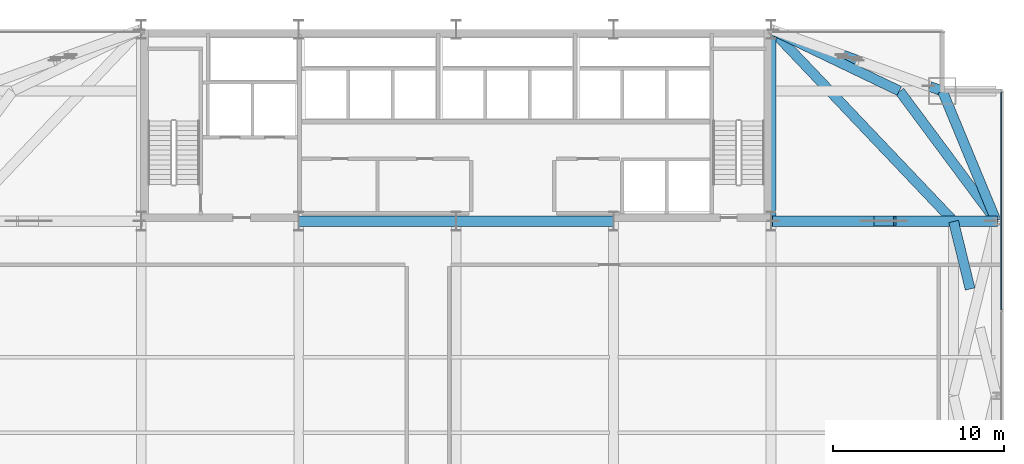
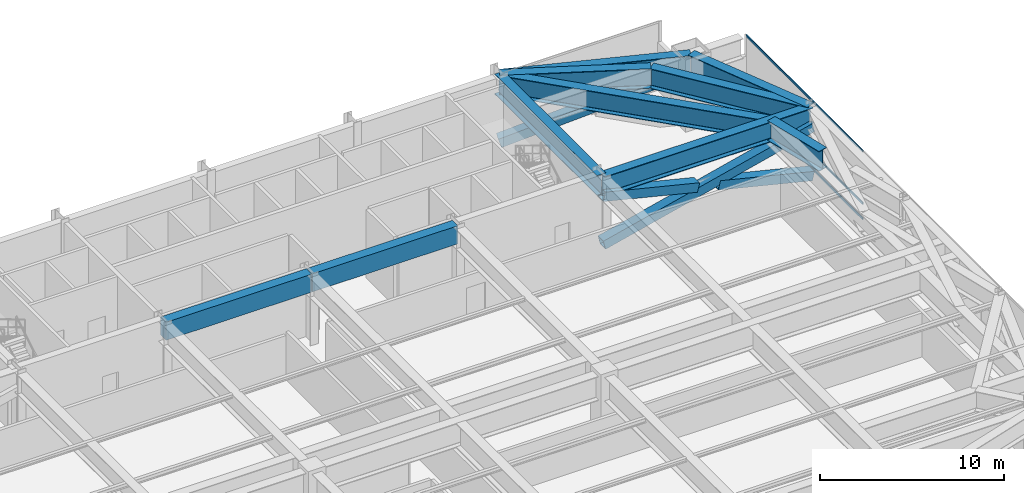
# One storey, part 23 of 30: 10 beams, 7 members, 1 element without a shape of its own.
"""IFC4 building model written with IfcOpenShell, lengths in metres."""

from ifc_helpers import new_model, si_unit, direction, frame, origin, origin_2d, place, context, subcontext, project, spatial, rectangle, hollow_rectangle, i_section, extrude, source, transform, mapped, material, layer, layer_set, material_profile, profile_set, type_object, type_shapes, element, aggregate, save


model = new_model("IFC4")

# Units and contexts
model_context = context("Model", 3, precision=1e-05, world=origin(), true_north=direction((0.0, 1.0)))
body_context = subcontext(model_context, "Body", "Model", "MODEL_VIEW")
ifc_project = project(units=[si_unit("LENGTHUNIT", "METRE"), si_unit("AREAUNIT", "SQUARE_METRE"), si_unit("VOLUMEUNIT", "CUBIC_METRE"), si_unit("PLANEANGLEUNIT", "RADIAN"), si_unit("MASSUNIT", "GRAM", prefix="KILO")], contexts=[model_context])

# Site, building, storey
site_placement = place(None, origin())
site = spatial("IfcSite", under=ifc_project, at=site_placement, CompositionType="ELEMENT")
building_placement = place(site_placement, origin())
building = spatial("IfcBuilding", under=site, at=building_placement, Name="Varnel Quay Broadcast Tower", CompositionType="ELEMENT")
storey_placement = place(building_placement, frame((0.0, 0.0, 82.199951171875)))
storey = spatial("IfcBuildingStorey", under=building, at=storey_placement, Name="L19", CompositionType="ELEMENT", Elevation=82.199951171875)

# Beams
ifc_material_1 = material(Name="Structural Steel CSA G40.21 350WT", Category="steel")
ifc_material_profile_1 = material_profile(ifc_material_1, i_section(OverallWidth=0.580078125, OverallDepth=1.330078125, WebThickness=0.02197265625, FlangeThickness=0.0380859375, FilletRadius=0.02001953125, at=origin_2d()), Name="WWF1330X535")
ifc_profile_set_1 = profile_set([ifc_material_profile_1], Name="Structural Steel CSA G40.21 350WT")
beam_type_1 = type_object("IfcBeamType", Name="Girder_WWF1330X535", PredefinedType="BEAM", material=ifc_profile_set_1)
shared_shape_1 = source(origin(), body_context, "Body", "SweptSolid", [
    extrude(i_section(OverallWidth=0.580078125, OverallDepth=1.330078125, WebThickness=0.02197265625, FlangeThickness=0.0380859375, FilletRadius=0.02001953125, at=origin_2d()), origin(), (0.0, 0.0, 1.0), 13.110107421875),
])
beam_1_placement = place(storey_placement, frame((52.419921875, 35.60009765625, 3.885009765625), z_axis=(1.0, 0.0, 0.0), x_axis=(0.0, 1.0, 0.0)))
element("IfcBeam", 1, at=beam_1_placement, inside=storey, type_object=beam_type_1, Name="L19 East Core Tie Transfer", PredefinedType="BEAM", context=body_context, shape_type="MappedRepresentation", body=[
    mapped(shared_shape_1, transform((0.0, 0.0, 0.0), x_axis=(1.0, 0.0, 0.0), y_axis=(0.0, 1.0, 0.0), z_axis=(0.0, 0.0, 1.0), scale=1.0)),
])
shared_shape_2 = source(origin(), body_context, "Body", "SweptSolid", [
    extrude(i_section(OverallWidth=0.580078125, OverallDepth=1.330078125, WebThickness=0.02197265625, FlangeThickness=0.0380859375, FilletRadius=0.02001953125, at=origin_2d()), origin(), (0.0, 0.0, 1.0), 11.159912109375),
])
beam_2_placement = place(storey_placement, frame((52.39990234375, 35.6201171875, 3.885009765625), z_axis=(0.0, 1.0, 0.0), x_axis=(-1.0, 0.0, 0.0)))
element("IfcBeam", 2, at=beam_2_placement, inside=storey, type_object=beam_type_1, Name="L19 East Core Spine", PredefinedType="BEAM", context=body_context, shape_type="MappedRepresentation", body=[
    mapped(shared_shape_2, transform((0.0, 0.0, 0.0), x_axis=(1.0, 0.0, 0.0), y_axis=(0.0, 1.0, 0.0), z_axis=(0.0, 0.0, 1.0), scale=1.0)),
])
shared_shape_3 = source(origin(), body_context, "Body", "SweptSolid", [
    extrude(i_section(OverallWidth=0.580078125, OverallDepth=1.330078125, WebThickness=0.02197265625, FlangeThickness=0.0380859375, FilletRadius=0.02001953125, at=origin_2d()), origin(), (0.0, 0.0, 1.0), 8.186767578125),
])
beam_3_placement = place(storey_placement, frame((65.542236328125, 35.618408203125, 3.885009765625), z_axis=(-0.382874132092, 0.923800519038, 0.0), x_axis=(-0.923800519038, -0.382874132092, 0.0)))
element("IfcBeam", 3, at=beam_3_placement, inside=storey, type_object=beam_type_1, Name="L19 East Transfer Spine TC-E3-MC-NE", PredefinedType="BEAM", context=body_context, shape_type="MappedRepresentation", body=[
    mapped(shared_shape_3, transform((0.0, 0.0, 0.0), x_axis=(1.0, 0.0, 0.0), y_axis=(0.0, 1.0, 0.0), z_axis=(0.0, 0.0, 1.0), scale=1.0)),
])
ifc_material_2 = material(Name="Concrete CSA A23.3 C60/75", Category="concrete")
ifc_material_profile_2 = material_profile(ifc_material_2, rectangle(XDim=0.60009765625, YDim=1.199951171875, at=origin_2d()), Name="RC600X1200")
ifc_profile_set_2 = profile_set([ifc_material_profile_2], Name="Concrete CSA A23.3 C60/75")
beam_type_2 = type_object("IfcBeamType", Name="Beam_RC600X1200", PredefinedType="BEAM", material=ifc_profile_set_2)
shared_shape_4 = source(origin(), body_context, "Body", "SweptSolid", [
    extrude(rectangle(XDim=0.60009765625, YDim=1.199951171875, at=origin_2d()), origin(), (0.0, 0.0, 1.0), 9.159912109375),
])
type_shapes(beam_type_2, [shared_shape_4])
for number, where, z_axis, x_axis, name in (
    (4, (24.820068359375, 35.60009765625, 3.949951171875), (1.0, 0.0, 0.0), (0.0, 1.0, 0.0), "L19 Core Coupling Beam W"),
    (5, (34.02001953125, 35.60009765625, 3.949951171875), (1.0, 0.0, 0.0), (0.0, 1.0, 0.0), "L19 Core Coupling Beam E"),
):
    element("IfcBeam", number, at=place(storey_placement, frame(where, z_axis=z_axis, x_axis=x_axis)), inside=storey, type_object=beam_type_2, Name=name, PredefinedType="BEAM", context=body_context, shape_type="MappedRepresentation", body=[
        mapped(shared_shape_4, transform((0.0, 0.0, 0.0), x_axis=(1.0, 0.0, 0.0), y_axis=(0.0, 1.0, 0.0), z_axis=(0.0, 0.0, 1.0), scale=1.0)),
    ])
shared_shape_5 = source(origin(), body_context, "Body", "SweptSolid", [
    extrude(i_section(OverallWidth=0.580078125, OverallDepth=1.330078125, WebThickness=0.02197265625, FlangeThickness=0.0380859375, FilletRadius=0.02001953125, at=origin_2d()), origin(), (0.0, 0.0, 1.0), 10.58837890625),
])
beam_4_placement = place(storey_placement, frame((52.418701171875, 46.793212890625, 3.885009765625), z_axis=(0.940888587605, -0.338716202321, 0.0), x_axis=(0.338716202321, 0.940888587605, 0.0)))
element("IfcBeam", 6, at=beam_4_placement, inside=storey, type_object=beam_type_1, Name="L19 NE Transfer Spine", PredefinedType="BEAM", context=body_context, shape_type="MappedRepresentation", body=[
    mapped(shared_shape_5, transform((0.0, 0.0, 0.0), x_axis=(1.0, 0.0, 0.0), y_axis=(0.0, 1.0, 0.0), z_axis=(0.0, 0.0, 1.0), scale=1.0)),
])
shared_shape_6 = source(origin(), body_context, "Body", "SweptSolid", [
    extrude(i_section(OverallWidth=0.580078125, OverallDepth=1.330078125, WebThickness=0.02197265625, FlangeThickness=0.0380859375, FilletRadius=0.02001953125, at=origin_2d()), origin(), (0.0, 0.0, 1.0), 8.279296875),
])
beam_5_placement = place(storey_placement, frame((52.41796875, 46.791259765625, 3.885009765625), z_axis=(0.901535021024, -0.432706142626, 0.0), x_axis=(0.432706142626, 0.901535021024, 0.0)))
element("IfcBeam", 7, at=beam_5_placement, inside=storey, type_object=beam_type_1, Name="L19 Nodal Transfer Tie MC-NE-CC-N5", PredefinedType="BEAM", context=body_context, shape_type="MappedRepresentation", body=[
    mapped(shared_shape_6, transform((0.0, 0.0, 0.0), x_axis=(1.0, 0.0, 0.0), y_axis=(0.0, 1.0, 0.0), z_axis=(0.0, 0.0, 1.0), scale=1.0)),
])
shared_shape_7 = source(origin(), body_context, "Body", "SweptSolid", [
    extrude(i_section(OverallWidth=0.580078125, OverallDepth=1.330078125, WebThickness=0.02197265625, FlangeThickness=0.0380859375, FilletRadius=0.02001953125, at=origin_2d()), origin(), (0.0, 0.0, 1.0), 9.429931640625),
])
beam_6_placement = place(storey_placement, frame((65.5380859375, 35.6162109375, 3.885009765625), z_axis=(-0.596635222222, 0.802512561649, 0.0), x_axis=(-0.802512561649, -0.596635222222, 0.0)))
element("IfcBeam", 8, at=beam_6_placement, inside=storey, type_object=beam_type_1, Name="L19 Nodal Transfer Tie MC-NE-TC-E3", PredefinedType="BEAM", context=body_context, shape_type="MappedRepresentation", body=[
    mapped(shared_shape_7, transform((0.0, 0.0, 0.0), x_axis=(1.0, 0.0, 0.0), y_axis=(0.0, 1.0, 0.0), z_axis=(0.0, 0.0, 1.0), scale=1.0)),
])
shared_shape_8 = source(origin(), body_context, "Body", "SweptSolid", [
    extrude(i_section(OverallWidth=0.580078125, OverallDepth=1.330078125, WebThickness=0.02197265625, FlangeThickness=0.0380859375, FilletRadius=0.02001953125, at=origin_2d()), origin(), (0.0, 0.0, 1.0), 15.4150390625),
])
beam_7_placement = place(storey_placement, frame((52.413818359375, 46.785400390625, 3.885009765625), z_axis=(0.689089036424, -0.724676686447, 0.0), x_axis=(0.724676686447, 0.689089036424, 0.0)))
element("IfcBeam", 9, at=beam_7_placement, inside=storey, type_object=beam_type_1, Name="L19 Nodal Transfer Tie TC-E3-CC-N5", PredefinedType="BEAM", context=body_context, shape_type="MappedRepresentation", body=[
    mapped(shared_shape_8, transform((0.0, 0.0, 0.0), x_axis=(1.0, 0.0, 0.0), y_axis=(0.0, 1.0, 0.0), z_axis=(0.0, 0.0, 1.0), scale=1.0)),
])
shared_shape_9 = source(origin(), body_context, "Body", "SweptSolid", [
    extrude(i_section(OverallWidth=0.580078125, OverallDepth=1.330078125, WebThickness=0.02197265625, FlangeThickness=0.0380859375, FilletRadius=0.02001953125, at=origin_2d()), origin(), (0.0, 0.0, 1.0), 4.06298828125),
])
type_shapes(beam_type_1, [shared_shape_1, shared_shape_2, shared_shape_3, shared_shape_5, shared_shape_6, shared_shape_7, shared_shape_8, shared_shape_9])
beam_8_placement = place(storey_placement, frame((64.02197265625, 31.63427734375, 3.885009765625), z_axis=(-0.238065394909, 0.97124912754, 0.0), x_axis=(-0.97124912754, -0.238065394909, 0.0)))
element("IfcBeam", 10, at=beam_8_placement, inside=storey, type_object=beam_type_1, Name="L19 X-Braced Transfer Tie TC-E3-TC-E2 Part 2", PredefinedType="BEAM", context=body_context, shape_type="MappedRepresentation", body=[
    mapped(shared_shape_9, transform((0.0, 0.0, 0.0), x_axis=(1.0, 0.0, 0.0), y_axis=(0.0, 1.0, 0.0), z_axis=(0.0, 0.0, 1.0), scale=1.0)),
])

# Members
ifc_material_profile_3 = material_profile(ifc_material_1, hollow_rectangle(XDim=0.60009765625, YDim=0.60009765625, WallThickness=0.028076171875, at=origin_2d()), Name="BOX600X600X28")
ifc_profile_set_3 = profile_set([ifc_material_profile_3], Name="Structural Steel CSA G40.21 350WT")
member_type_1 = type_object("IfcMemberType", Name="Outrigger_BOX600X600X28", PredefinedType="BRACE", material=ifc_profile_set_3)
shared_shape_10 = source(origin(), body_context, "Body", "SweptSolid", [
    extrude(hollow_rectangle(XDim=0.60009765625, YDim=0.60009765625, WallThickness=0.028076171875, at=origin_2d()), origin(), (0.0, 0.0, 1.0), 10.280517578125),
])
member_1_placement = place(storey_placement, frame((52.39990234375, 46.800048828125, 0.02001953125), z_axis=(0.893547082509, -0.321668400377, 0.313214066635), x_axis=(0.338711498803, 0.94089028084, 0.0)))
element("IfcMember", 11, at=member_1_placement, inside=storey, type_object=member_type_1, Name="L19 Outrigger NE Continuous Diag A", PredefinedType="BRACE", context=body_context, shape_type="MappedRepresentation", body=[
    mapped(shared_shape_10, transform((0.0, 0.0, 0.0), x_axis=(1.0, 0.0, 0.0), y_axis=(0.0, 1.0, 0.0), z_axis=(0.0, 0.0, 1.0), scale=1.0)),
])
shared_shape_11 = source(origin(), body_context, "Body", "SweptSolid", [
    extrude(hollow_rectangle(XDim=0.60009765625, YDim=0.60009765625, WallThickness=0.028076171875, at=origin_2d()), origin(), (0.0, 0.0, 1.0), 13.53857421875),
])
member_2_placement = place(storey_placement, frame((52.39990234375, 35.60009765625, 0.02001953125), z_axis=(0.971305388672, 0.0, 0.23783574571), x_axis=(0.0, 1.0, 0.0)))
element("IfcMember", 12, at=member_2_placement, inside=storey, type_object=member_type_1, Name="L19 Outrigger E Continuous Diag A", PredefinedType="BRACE", context=body_context, shape_type="MappedRepresentation", body=[
    mapped(shared_shape_11, transform((0.0, 0.0, 0.0), x_axis=(1.0, 0.0, 0.0), y_axis=(0.0, 1.0, 0.0), z_axis=(0.0, 0.0, 1.0), scale=1.0)),
])
shared_shape_12 = source(origin(), body_context, "Body", "SweptSolid", [
    extrude(hollow_rectangle(XDim=0.60009765625, YDim=0.60009765625, WallThickness=0.028076171875, at=origin_2d()), origin(), (0.0, 0.0, 1.0), 6.094970703125),
])
type_shapes(member_type_1, [shared_shape_10, shared_shape_11, shared_shape_12])
for number, where, z_axis, x_axis, name in (
    (13, (65.550048828125, 35.60009765625, 0.02001953125), (-0.971302221944, 0.0, 0.237848678044), (0.0, -1.0, 0.0), "L19 Outrigger E Split Diag B1"),
    (14, (58.320068359375, 35.60009765625, 1.79052734375), (-0.971311475002, 0.0, 0.237810888164), (0.0, -1.0, 0.0), "L19 Outrigger E Split Diag B2"),
):
    element("IfcMember", number, at=place(storey_placement, frame(where, z_axis=z_axis, x_axis=x_axis)), inside=storey, type_object=member_type_1, Name=name, PredefinedType="BRACE", context=body_context, shape_type="MappedRepresentation", body=[
        mapped(shared_shape_12, transform((0.0, 0.0, 0.0), x_axis=(1.0, 0.0, 0.0), y_axis=(0.0, 1.0, 0.0), z_axis=(0.0, 0.0, 1.0), scale=1.0)),
    ])

# Curtain wall, members
ifc_material_3 = material(Name="Anodised Bronze Aluminium 6063-T6", Category="aluminium")
ifc_layer = layer(ifc_material_3, 0.18994140625, Name="Anodised Bronze Aluminium 6063-T6")
ifc_layer_set = layer_set([ifc_layer], Name="Anodised Bronze Aluminium 6063-T6")
curtain_wall_type = type_object("IfcCurtainWallType", Name="CW_LowerTower", PredefinedType="NOTDEFINED", material=ifc_layer_set)
curtain_wall_placement = place(storey_placement, origin())
curtain_wall = element("IfcCurtainWall", 15, at=curtain_wall_placement, inside=storey, type_object=curtain_wall_type, Name="L19 East Unitised Curtain Wall", PredefinedType="NOTDEFINED")
ifc_material_profile_4 = material_profile(ifc_material_3, hollow_rectangle(XDim=0.06005859375, YDim=0.14501953125, WallThickness=0.00341796875, at=origin_2d()), Name="ALU60X145X3.5")
ifc_profile_set_4 = profile_set([ifc_material_profile_4], Name="Anodised Bronze Aluminium 6063-T6")
member_type_2 = type_object("IfcMemberType", Name="Tran_CWS-02", PredefinedType="USERDEFINED", material=ifc_profile_set_4)
shared_shape_13 = source(origin(), body_context, "Body", "SweptSolid", [
    extrude(hollow_rectangle(XDim=0.06005859375, YDim=0.14501953125, WallThickness=0.00341796875, at=origin_2d()), origin(), (0.0, 0.0, 1.0), 12.69482421875),
])
type_shapes(member_type_2, [shared_shape_13])
member_3_placement = place(storey_placement, frame((65.85009765625, 30.43505859375, 0.030029296875), z_axis=(0.0, 1.0, 0.0), x_axis=(-1.0, 0.0, 0.0)))
member_3 = element("IfcMember", 16, at=member_3_placement, type_object=member_type_2, Name="CWS-02 transom 3.1", ObjectType="TRANSOM", PredefinedType="USERDEFINED", context=body_context, shape_type="MappedRepresentation", body=[
    mapped(shared_shape_13, transform((0.0, 0.0, 0.0), x_axis=(1.0, 0.0, 0.0), y_axis=(0.0, 1.0, 0.0), z_axis=(0.0, 0.0, 1.0), scale=1.0)),
])
member_4_placement = place(storey_placement, frame((65.85009765625, 30.43505859375, 1.050048828125), z_axis=(0.0, 1.0, 0.0), x_axis=(-1.0, 0.0, 0.0)))
member_4 = element("IfcMember", 17, at=member_4_placement, type_object=member_type_2, Name="CWS-02 transom 3.2", ObjectType="TRANSOM", PredefinedType="USERDEFINED", context=body_context, shape_type="MappedRepresentation", body=[
    mapped(shared_shape_13, transform((0.0, 0.0, 0.0), x_axis=(1.0, 0.0, 0.0), y_axis=(0.0, 1.0, 0.0), z_axis=(0.0, 0.0, 1.0), scale=1.0)),
])
member_5_placement = place(storey_placement, frame((65.85009765625, 30.43505859375, 4.52001953125), z_axis=(0.0, 1.0, 0.0), x_axis=(-1.0, 0.0, 0.0)))
member_5 = element("IfcMember", 18, at=member_5_placement, type_object=member_type_2, Name="CWS-02 transom 3.3", ObjectType="TRANSOM", PredefinedType="USERDEFINED", context=body_context, shape_type="MappedRepresentation", body=[
    mapped(shared_shape_13, transform((0.0, 0.0, 0.0), x_axis=(1.0, 0.0, 0.0), y_axis=(0.0, 1.0, 0.0), z_axis=(0.0, 0.0, 1.0), scale=1.0)),
])
aggregate(curtain_wall, [member_3, member_4, member_5])

save(model, "model.ifc")
